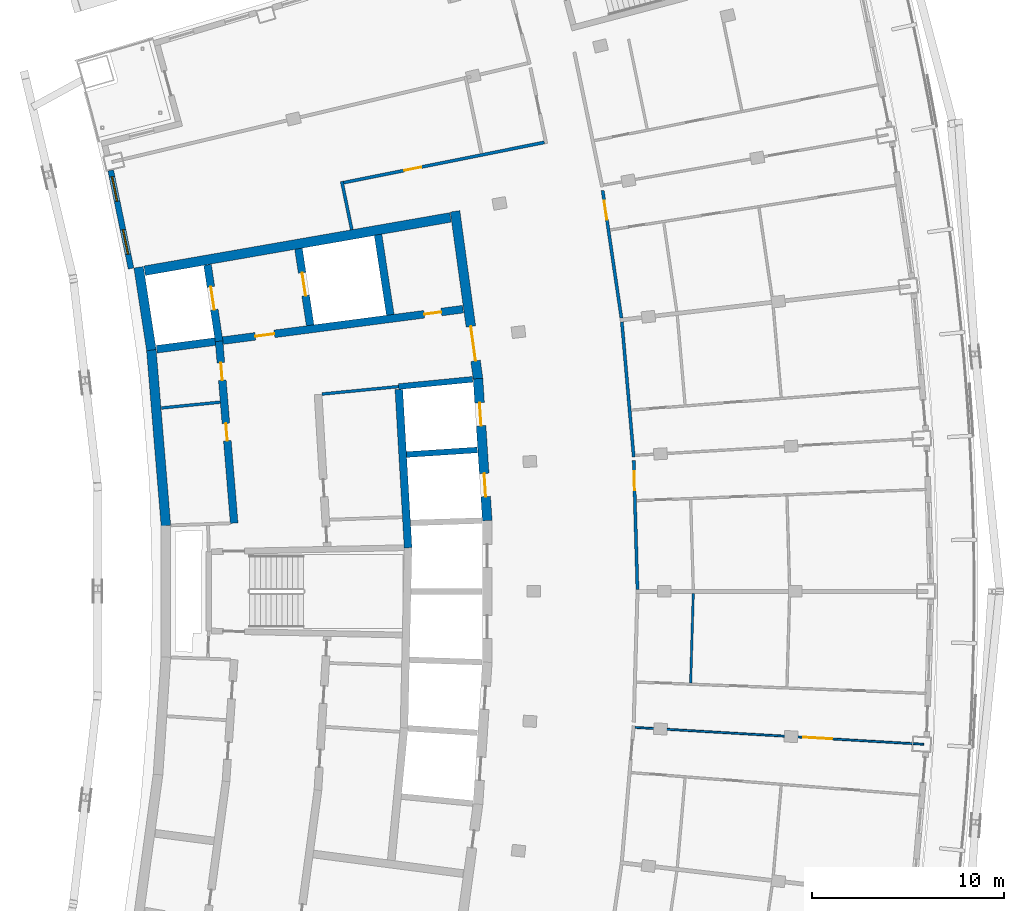
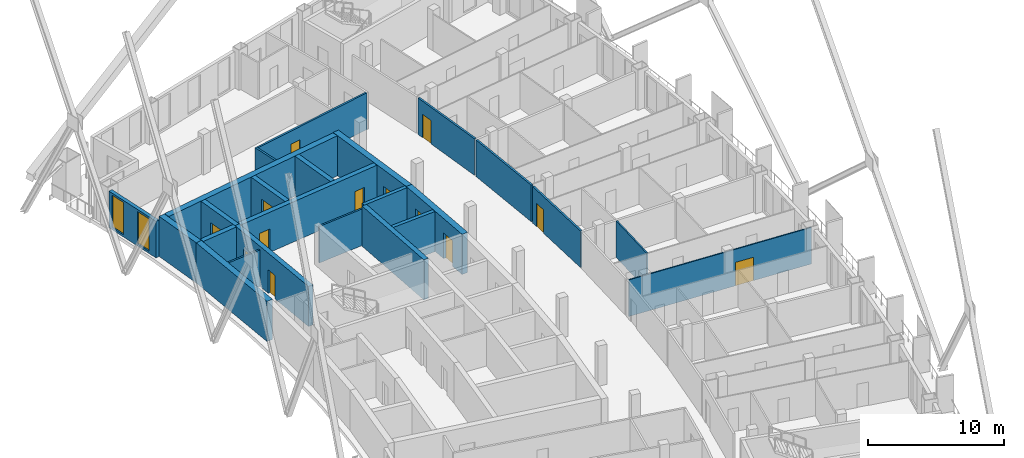
# One storey, part 11 of 21: 24 walls, 13 doors, 2 windows, 15 openings.
"""IFC4 building model written with IfcOpenShell, lengths in metres."""

from ifc_helpers import new_model, si_unit, direction, frame, frame_2d, origin, place, context, subcontext, project, spatial, rectangle, extrude, material, layer, layer_set, type_object, element, fill, save


model = new_model("IFC4")

# Units and contexts
model_context = context("Model", 3, precision=1e-05, world=origin(), true_north=direction((0.0, 1.0)))
body_context = subcontext(model_context, "Body", "Model", "MODEL_VIEW")
ifc_project = project(units=[si_unit("LENGTHUNIT", "METRE"), si_unit("AREAUNIT", "SQUARE_METRE"), si_unit("VOLUMEUNIT", "CUBIC_METRE"), si_unit("PLANEANGLEUNIT", "RADIAN"), si_unit("MASSUNIT", "GRAM", prefix="KILO")], contexts=[model_context])

# Site, building, storey
site_placement = place(None, origin())
site = spatial("IfcSite", under=ifc_project, at=site_placement, CompositionType="ELEMENT")
building_placement = place(site_placement, origin())
building = spatial("IfcBuilding", under=site, at=building_placement, Name="Alderwake Tower", CompositionType="ELEMENT")
storey_placement = place(building_placement, frame((0.0, 0.0, 267.199951171875)))
storey = spatial("IfcBuildingStorey", under=building, at=storey_placement, Name="L66", CompositionType="ELEMENT", Elevation=267.199951171875)

# Walls
ifc_material_1 = material(Name="Gypsum shaft wall system, rated")
ifc_layer_1 = layer(ifc_material_1, 0.14990234375)
ifc_layer_set_1 = layer_set([ifc_layer_1], Name="Core room partition 150")
wall_type_1 = type_object("IfcWallType", Name="Core room partition 150", PredefinedType="PARTITIONING", material=ifc_layer_set_1)
wall_1_placement = place(storey_placement, frame((24.799560546875, 71.2548828125, 0.0), z_axis=(0.0, 0.0, 1.0), x_axis=(0.995250000627, 0.097352125046, 0.0)))
element("IfcWall", 1, at=wall_1_placement, inside=storey, type_object=wall_type_1, Name="CW/L66/PR+102_+86", PredefinedType="PARTITIONING", context=body_context, shape_type="SweptSolid", body=[
    extrude(rectangle(XDim=4.0, YDim=0.14990234375, at=frame_2d((2.0, 0.0))), origin(), (0.0, 0.0, 1.0), 3.280029296875),
])
wall_2_placement = place(storey_placement, frame((16.4638671875, 70.5322265625, 0.0), z_axis=(0.0, 0.0, 1.0), x_axis=(0.995153954228, 0.098329077004, 0.0)))
element("IfcWall", 2, at=wall_2_placement, inside=storey, type_object=wall_type_1, Name="CW/L66/PR+103_+0", PredefinedType="PARTITIONING", context=body_context, shape_type="SweptSolid", body=[
    extrude(rectangle(XDim=3.06640625, YDim=0.14990234375, at=frame_2d((1.533203125, 0.0))), origin(), (0.0, 0.0, 1.0), 3.280029296875),
])
ifc_material_2 = material(Name="Concrete C70/85", Category="concrete")
ifc_layer_2 = layer(ifc_material_2, 0.5)
ifc_layer_set_2 = layer_set([ifc_layer_2], Name="Core wall outer 500 C70-85")
wall_type_2 = type_object("IfcWallType", Name="Core wall outer 500 C70-85", PredefinedType="SHEAR", material=ifc_layer_set_2)
wall_3_placement = place(storey_placement, frame((16.690185546875, 64.41162109375, 0.0), z_axis=(0.0, 0.0, 1.0), x_axis=(-0.082611702064, 0.996581811334, 0.0)))
element("IfcWall", 3, at=wall_3_placement, inside=storey, type_object=wall_type_2, Name="Core wall CW.026", PredefinedType="SHEAR", context=body_context, shape_type="SweptSolid", body=[
    extrude(rectangle(XDim=9.176025390625, YDim=0.5, at=frame_2d((4.587890625, 0.0))), origin(), (0.0, 0.0, 1.0), 3.60009765625),
])
wall_4_placement = place(storey_placement, frame((15.934326171875, 73.5380859375, 0.0), z_axis=(0.0, 0.0, 1.0), x_axis=(-0.151947718368, 0.988388532351, 0.0)))
element("IfcWall", 4, at=wall_4_placement, inside=storey, type_object=wall_type_2, Name="Core wall CW.025", PredefinedType="SHEAR", context=body_context, shape_type="SweptSolid", body=[
    extrude(rectangle(XDim=4.357421875, YDim=0.5, at=frame_2d((2.1787109375, 0.0))), origin(), (0.0, 0.0, 1.0), 3.60009765625),
])

# Wall, openings, doors
wall_5_placement = place(storey_placement, frame((33.390625, 64.679443359375, 0.0), z_axis=(0.0, 0.0, 1.0), x_axis=(-0.064980500916, 0.997886533881, 0.0)))
wall_5 = element("IfcWall", 5, at=wall_5_placement, inside=storey, type_object=wall_type_2, Name="Core wall CW.020", PredefinedType="SHEAR", context=body_context, shape_type="SweptSolid", body=[
    extrude(rectangle(XDim=7.39404296875, YDim=0.5, at=frame_2d((3.697021484375, 0.0))), origin(), (0.0, 0.0, 1.0), 3.60009765625),
])
opening_1_placement = place(wall_5_placement, frame((1.25244140625, 0.0, 0.0)))
opening_1 = element("IfcOpeningElement", 6, at=opening_1_placement, cuts=wall_5, Name="Opening LD-HP5", PredefinedType="OPENING", context=body_context, shape_type="SweptSolid", body=[
    extrude(rectangle(XDim=1.199951171875, YDim=2.300048828125, at=frame_2d((0.60009765625, 1.14990234375))), frame((0.0, 0.260009765625, 0.0), z_axis=(0.0, -1.0, 0.0), x_axis=(1.0, 0.0, 0.0)), (0.0, 0.0, 1.0), 0.52001953125),
])
opening_2_placement = place(wall_5_placement, frame((4.94091796875, 0.0, 0.0)))
opening_2 = element("IfcOpeningElement", 7, at=opening_2_placement, cuts=wall_5, Name="Opening LD-HP6", PredefinedType="OPENING", context=body_context, shape_type="SweptSolid", body=[
    extrude(rectangle(XDim=1.199951171875, YDim=2.300048828125, at=frame_2d((0.60009765625, 1.14990234375))), frame((0.0, 0.260009765625, 0.0), z_axis=(0.0, -1.0, 0.0), x_axis=(1.0, 0.0, 0.0)), (0.0, 0.0, 1.0), 0.52001953125),
])
ifc_material_3 = material(Name="Stainless steel sliding leaf", Category="steel")
door_type_1 = type_object("IfcDoorType", Name="Lift landing door 1200", OperationType="SLIDING_TO_LEFT", PredefinedType="DOOR", material=ifc_material_3)
door_1_placement = place(opening_1_placement, origin())
door_1 = element("IfcDoor", 8, at=door_1_placement, inside=storey, type_object=door_type_1, Name="Lift landing door HP5", OperationType="SLIDING_TO_LEFT", OverallHeight=2.300048828125, OverallWidth=1.199951171875, PredefinedType="DOOR", context=body_context, shape_type="SweptSolid", body=[
    extrude(rectangle(XDim=1.199951171875, YDim=2.300048828125, at=frame_2d((0.60009765625, 1.14990234375))), frame((0.0, 0.02490234375, 0.0), z_axis=(0.0, -1.0, 0.0), x_axis=(1.0, 0.0, 0.0)), (0.0, 0.0, 1.0), 0.050048828125),
])
fill(opening_1, door_1)
door_2_placement = place(opening_2_placement, origin())
door_2 = element("IfcDoor", 9, at=door_2_placement, inside=storey, type_object=door_type_1, Name="Lift landing door HP6", OperationType="SLIDING_TO_LEFT", OverallHeight=2.300048828125, OverallWidth=1.199951171875, PredefinedType="DOOR", context=body_context, shape_type="SweptSolid", body=[
    extrude(rectangle(XDim=1.199951171875, YDim=2.300048828125, at=frame_2d((0.60009765625, 1.14990234375))), frame((0.0, 0.02490234375, 0.0), z_axis=(0.0, -1.0, 0.0), x_axis=(1.0, 0.0, 0.0)), (0.0, 0.0, 1.0), 0.050048828125),
])
fill(opening_2, door_2)

# Wall, opening, door
wall_6_placement = place(storey_placement, frame((31.71728515625, 80.752685546875, 0.0), z_axis=(0.0, 0.0, 1.0), x_axis=(0.1358539401, -0.990728876615, 0.0)))
wall_6 = element("IfcWall", 10, at=wall_6_placement, inside=storey, type_object=wall_type_2, Name="Core wall CW.019", PredefinedType="SHEAR", context=body_context, shape_type="SweptSolid", body=[
    extrude(rectangle(XDim=8.794921875, YDim=0.5, at=frame_2d((4.3974609375, 0.0))), origin(), (0.0, 0.0, 1.0), 3.60009765625),
])
opening_3_placement = place(wall_6_placement, frame((6.0419921875, 0.0, 0.0)))
opening_3 = element("IfcOpeningElement", 11, at=opening_3_placement, cuts=wall_6, Name="Opening C001", PredefinedType="OPENING", context=body_context, shape_type="SweptSolid", body=[
    extrude(rectangle(XDim=1.800048828125, YDim=2.10009765625, at=frame_2d((0.89990234375, 1.050048828125))), frame((0.0, 0.260009765625, 0.0), z_axis=(0.0, -1.0, 0.0), x_axis=(1.0, 0.0, 0.0)), (0.0, 0.0, 1.0), 0.52001953125),
])
ifc_material_4 = material(Name="Steel-framed fire door leaves", Category="steel")
door_type_2 = type_object("IfcDoorType", Name="Core double door 1800 fire-rated", OperationType="DOUBLE_DOOR_SINGLE_SWING", PredefinedType="DOOR", material=ifc_material_4)
door_3_placement = place(opening_3_placement, origin())
door_3 = element("IfcDoor", 12, at=door_3_placement, inside=storey, type_object=door_type_2, Name="Lobby double door", OperationType="DOUBLE_DOOR_SINGLE_SWING", OverallHeight=2.10009765625, OverallWidth=1.800048828125, PredefinedType="DOOR", context=body_context, shape_type="SweptSolid", body=[
    extrude(rectangle(XDim=1.800048828125, YDim=2.10009765625, at=frame_2d((0.89990234375, 1.050048828125))), frame((0.0, 0.02490234375, 0.0), z_axis=(0.0, -1.0, 0.0), x_axis=(1.0, 0.0, 0.0)), (0.0, 0.0, 1.0), 0.050048828125),
])
fill(opening_3, door_3)

# Walls
wall_7_placement = place(storey_placement, frame((15.583251953125, 77.664306640625, 0.0), z_axis=(0.0, 0.0, 1.0), x_axis=(0.985139146221, 0.171758151429, 0.0)))
element("IfcWall", 13, at=wall_7_placement, inside=storey, type_object=wall_type_2, Name="Core wall CW.055", PredefinedType="SHEAR", context=body_context, shape_type="SweptSolid", body=[
    extrude(rectangle(XDim=16.134521484375, YDim=0.5, at=frame_2d((8.0673828125, 0.0))), origin(), (0.0, 0.0, 1.0), 3.60009765625),
])
ifc_material_5 = material(Name="Concrete C70/85", Category="concrete")
ifc_layer_3 = layer(ifc_material_5, 0.300048828125)
ifc_layer_set_3 = layer_set([ifc_layer_3], Name="Core wall shaft 300 C70-85")
wall_type_3 = type_object("IfcWallType", Name="Core wall shaft 300 C70-85", PredefinedType="SHEAR", material=ifc_layer_set_3)
wall_8_placement = place(storey_placement, frame((29.193603515625, 68.110595703125, 0.0), z_axis=(0.0, 0.0, 1.0), x_axis=(0.997885994006, 0.064988791085, 0.0)))
element("IfcWall", 14, at=wall_8_placement, inside=storey, type_object=wall_type_3, Name="Core wall CW.061", PredefinedType="SHEAR", context=body_context, shape_type="SweptSolid", body=[
    extrude(rectangle(XDim=3.685302734375, YDim=0.300048828125, at=frame_2d((1.8427734375, 0.0))), origin(), (0.0, 0.0, 1.0), 3.60009765625),
])
wall_9_placement = place(storey_placement, frame((28.780517578125, 71.644287109375, 0.0), z_axis=(0.0, 0.0, 1.0), x_axis=(0.995244248631, 0.097410910928, 0.0)))
element("IfcWall", 15, at=wall_9_placement, inside=storey, type_object=wall_type_3, Name="Core wall CW.049", PredefinedType="SHEAR", context=body_context, shape_type="SweptSolid", body=[
    extrude(rectangle(XDim=3.86962890625, YDim=0.300048828125, at=frame_2d((1.934814453125, 0.0))), origin(), (0.0, 0.0, 1.0), 3.60009765625),
])

# Wall, openings, doors
ifc_material_6 = material(Name="Concrete C70/85", Category="concrete")
ifc_layer_4 = layer(ifc_material_6, 0.39990234375)
ifc_layer_set_4 = layer_set([ifc_layer_4], Name="Core wall spine 400 C70-85")
wall_type_4 = type_object("IfcWallType", Name="Core wall spine 400 C70-85", PredefinedType="SHEAR", material=ifc_layer_set_4)
wall_10_placement = place(storey_placement, frame((19.452392578125, 74.014892578125, 0.0), z_axis=(0.0, 0.0, 1.0), x_axis=(0.082628585297, -0.996580411654, 0.0)))
wall_10 = element("IfcWall", 16, at=wall_10_placement, inside=storey, type_object=wall_type_4, Name="Core wall CW.031", PredefinedType="SHEAR", context=body_context, shape_type="SweptSolid", body=[
    extrude(rectangle(XDim=9.499267578125, YDim=0.39990234375, at=frame_2d((4.74951171875, 0.0))), origin(), (0.0, 0.0, 1.0), 3.60009765625),
])
opening_4_placement = place(wall_10_placement, frame((4.30322265625, 0.0, 0.0)))
opening_4 = element("IfcOpeningElement", 17, at=opening_4_placement, cuts=wall_10, Name="Opening C052", PredefinedType="OPENING", context=body_context, shape_type="SweptSolid", body=[
    extrude(rectangle(XDim=0.89990234375, YDim=2.10009765625, at=frame_2d((0.449951171875, 1.050048828125))), frame((0.0, 0.2099609375, 0.0), z_axis=(0.0, -1.0, 0.0), x_axis=(1.0, 0.0, 0.0)), (0.0, 0.0, 1.0), 0.419921875),
])
opening_5_placement = place(wall_10_placement, frame((1.138671875, 0.0, 0.0)))
opening_5 = element("IfcOpeningElement", 18, at=opening_5_placement, cuts=wall_10, Name="Opening C056", PredefinedType="OPENING", context=body_context, shape_type="SweptSolid", body=[
    extrude(rectangle(XDim=0.89990234375, YDim=2.10009765625, at=frame_2d((0.449951171875, 1.050048828125))), frame((0.0, 0.2099609375, 0.0), z_axis=(0.0, -1.0, 0.0), x_axis=(1.0, 0.0, 0.0)), (0.0, 0.0, 1.0), 0.419921875),
])
ifc_material_7 = material(Name="Painted steel leaf", Category="steel")
door_type_3 = type_object("IfcDoorType", Name="Core room door 900", OperationType="SINGLE_SWING_LEFT", PredefinedType="DOOR", material=ifc_material_7)
door_4_placement = place(opening_4_placement, origin())
door_4 = element("IfcDoor", 19, at=door_4_placement, inside=storey, type_object=door_type_3, Name="Room door", OperationType="SINGLE_SWING_LEFT", OverallHeight=2.10009765625, OverallWidth=0.89990234375, PredefinedType="DOOR", context=body_context, shape_type="SweptSolid", body=[
    extrude(rectangle(XDim=0.89990234375, YDim=2.10009765625, at=frame_2d((0.449951171875, 1.050048828125))), frame((0.0, 0.02490234375, 0.0), z_axis=(0.0, -1.0, 0.0), x_axis=(1.0, 0.0, 0.0)), (0.0, 0.0, 1.0), 0.050048828125),
])
fill(opening_4, door_4)
door_5_placement = place(opening_5_placement, origin())
door_5 = element("IfcDoor", 20, at=door_5_placement, inside=storey, type_object=door_type_3, Name="Room door", OperationType="SINGLE_SWING_RIGHT", OverallHeight=2.10009765625, OverallWidth=0.89990234375, PredefinedType="DOOR", context=body_context, shape_type="SweptSolid", body=[
    extrude(rectangle(XDim=0.89990234375, YDim=2.10009765625, at=frame_2d((0.449951171875, 1.050048828125))), frame((0.0, 0.02490234375, 0.0), z_axis=(0.0, -1.0, 0.0), x_axis=(1.0, 0.0, 0.0)), (0.0, 0.0, 1.0), 0.050048828125),
])
fill(opening_5, door_5)

# Wall, opening, door
wall_11_placement = place(storey_placement, frame((19.4541015625, 74.00048828125, 0.0), z_axis=(0.0, 0.0, 1.0), x_axis=(-0.149461330246, 0.988767571657, 0.0)))
wall_11 = element("IfcWall", 21, at=wall_11_placement, inside=storey, type_object=wall_type_4, Name="Core wall CW.030", PredefinedType="SHEAR", context=body_context, shape_type="SweptSolid", body=[
    extrude(rectangle(XDim=4.01513671875, YDim=0.39990234375, at=frame_2d((2.007568359375, 0.0))), origin(), (0.0, 0.0, 1.0), 3.60009765625),
])
opening_6_placement = place(wall_11_placement, frame((1.6611328125, 0.0, 0.0)))
opening_6 = element("IfcOpeningElement", 22, at=opening_6_placement, cuts=wall_11, Name="Opening LD-FF1", PredefinedType="OPENING", context=body_context, shape_type="SweptSolid", body=[
    extrude(rectangle(XDim=1.199951171875, YDim=2.300048828125, at=frame_2d((0.60009765625, 1.14990234375))), frame((0.0, 0.2099609375, 0.0), z_axis=(0.0, -1.0, 0.0), x_axis=(1.0, 0.0, 0.0)), (0.0, 0.0, 1.0), 0.419921875),
])
door_6_placement = place(opening_6_placement, origin())
door_6 = element("IfcDoor", 23, at=door_6_placement, inside=storey, type_object=door_type_1, Name="Lift landing door FF1", OperationType="SLIDING_TO_LEFT", OverallHeight=2.300048828125, OverallWidth=1.199951171875, PredefinedType="DOOR", context=body_context, shape_type="SweptSolid", body=[
    extrude(rectangle(XDim=1.199951171875, YDim=2.300048828125, at=frame_2d((0.60009765625, 1.14990234375))), frame((0.0, 0.02490234375, 0.0), z_axis=(0.0, -1.0, 0.0), x_axis=(1.0, 0.0, 0.0)), (0.0, 0.0, 1.0), 0.050048828125),
])
fill(opening_6, door_6)

wall_12_placement = place(storey_placement, frame((24.186279296875, 74.82861328125, 0.0), z_axis=(0.0, 0.0, 1.0), x_axis=(-0.150547717109, 0.988602743711, 0.0)))
wall_12 = element("IfcWall", 24, at=wall_12_placement, inside=storey, type_object=wall_type_4, Name="Core wall CW.044", PredefinedType="SHEAR", context=body_context, shape_type="SweptSolid", body=[
    extrude(rectangle(XDim=4.0234375, YDim=0.39990234375, at=frame_2d((2.01171875, 0.0))), origin(), (0.0, 0.0, 1.0), 3.60009765625),
])
opening_7_placement = place(wall_12_placement, frame((1.561767578125, 0.0, 0.0)))
opening_7 = element("IfcOpeningElement", 25, at=opening_7_placement, cuts=wall_12, Name="Opening LD-FF2", PredefinedType="OPENING", context=body_context, shape_type="SweptSolid", body=[
    extrude(rectangle(XDim=1.199951171875, YDim=2.300048828125, at=frame_2d((0.60009765625, 1.14990234375))), frame((0.0, 0.2099609375, 0.0), z_axis=(0.0, -1.0, 0.0), x_axis=(1.0, 0.0, 0.0)), (0.0, 0.0, 1.0), 0.419921875),
])
door_7_placement = place(opening_7_placement, origin())
door_7 = element("IfcDoor", 26, at=door_7_placement, inside=storey, type_object=door_type_1, Name="Lift landing door FF2", OperationType="SLIDING_TO_LEFT", OverallHeight=2.300048828125, OverallWidth=1.199951171875, PredefinedType="DOOR", context=body_context, shape_type="SweptSolid", body=[
    extrude(rectangle(XDim=1.199951171875, YDim=2.300048828125, at=frame_2d((0.60009765625, 1.14990234375))), frame((0.0, 0.02490234375, 0.0), z_axis=(0.0, -1.0, 0.0), x_axis=(1.0, 0.0, 0.0)), (0.0, 0.0, 1.0), 0.050048828125),
])
fill(opening_7, door_7)

# Walls
wall_13_placement = place(storey_placement, frame((29.27685546875, 63.2646484375, 0.0), z_axis=(0.0, 0.0, 1.0), x_axis=(-0.0584546922, 0.998290062537, 0.0)))
element("IfcWall", 27, at=wall_13_placement, inside=storey, type_object=wall_type_4, Name="Core wall CW.002", PredefinedType="SHEAR", context=body_context, shape_type="SweptSolid", body=[
    extrude(rectangle(XDim=8.24462890625, YDim=0.39990234375, at=frame_2d((4.122314453125, 0.0))), origin(), (0.0, 0.0, 1.0), 3.60009765625),
])
wall_14_placement = place(storey_placement, frame((28.350830078125, 75.373291015625, 0.0), z_axis=(0.0, 0.0, 1.0), x_axis=(-0.150576223774, 0.988598402201, 0.0)))
element("IfcWall", 28, at=wall_14_placement, inside=storey, type_object=wall_type_4, Name="Core wall CW.001", PredefinedType="SHEAR", context=body_context, shape_type="SweptSolid", body=[
    extrude(rectangle(XDim=4.21240234375, YDim=0.39990234375, at=frame_2d((2.106201171875, 0.0))), origin(), (0.0, 0.0, 1.0), 3.60009765625),
])
wall_15_placement = place(storey_placement, frame((16.210693359375, 73.583740234375, 0.0), z_axis=(0.0, 0.0, 1.0), x_axis=(0.991560893257, 0.129641794819, 0.0)))
element("IfcWall", 29, at=wall_15_placement, inside=storey, type_object=wall_type_4, Name="Core wall CW.051", PredefinedType="SHEAR", context=body_context, shape_type="SweptSolid", body=[
    extrude(rectangle(XDim=3.069580078125, YDim=0.39990234375, at=frame_2d((1.53466796875, 0.0))), origin(), (0.0, 0.0, 1.0), 3.60009765625),
])

# Wall, openings, doors
wall_16_placement = place(storey_placement, frame((32.132080078125, 75.666015625, 0.0), z_axis=(0.0, 0.0, 1.0), x_axis=(-0.991555139901, -0.129685791576, 0.0)))
wall_16 = element("IfcWall", 30, at=wall_16_placement, inside=storey, type_object=wall_type_4, Name="Core wall CW.052", PredefinedType="SHEAR", context=body_context, shape_type="SweptSolid", body=[
    extrude(rectangle(XDim=12.586669921875, YDim=0.39990234375, at=frame_2d((6.29345703125, 0.0))), origin(), (0.0, 0.0, 1.0), 3.60009765625),
])
opening_8_placement = place(wall_16_placement, frame((9.88720703125, 0.0, 0.0)))
opening_8 = element("IfcOpeningElement", 31, at=opening_8_placement, cuts=wall_16, Name="Opening C002", PredefinedType="OPENING", context=body_context, shape_type="SweptSolid", body=[
    extrude(rectangle(XDim=1.0, YDim=2.10009765625, at=frame_2d((0.5, 1.050048828125))), frame((0.0, 0.2099609375, 0.0), z_axis=(0.0, -1.0, 0.0), x_axis=(1.0, 0.0, 0.0)), (0.0, 0.0, 1.0), 0.419921875),
])
opening_9_placement = place(wall_16_placement, frame((1.13720703125, 0.0, 0.0)))
opening_9 = element("IfcOpeningElement", 32, at=opening_9_placement, cuts=wall_16, Name="Opening C020", PredefinedType="OPENING", context=body_context, shape_type="SweptSolid", body=[
    extrude(rectangle(XDim=0.89990234375, YDim=2.10009765625, at=frame_2d((0.449951171875, 1.050048828125))), frame((0.0, 0.2099609375, 0.0), z_axis=(0.0, -1.0, 0.0), x_axis=(1.0, 0.0, 0.0)), (0.0, 0.0, 1.0), 0.419921875),
])
door_8_placement = place(opening_9_placement, origin())
door_8 = element("IfcDoor", 33, at=door_8_placement, inside=storey, type_object=door_type_3, Name="Room door", OperationType="SINGLE_SWING_LEFT", OverallHeight=2.10009765625, OverallWidth=0.89990234375, PredefinedType="DOOR", context=body_context, shape_type="SweptSolid", body=[
    extrude(rectangle(XDim=0.89990234375, YDim=2.10009765625, at=frame_2d((0.449951171875, 1.050048828125))), frame((0.0, 0.02490234375, 0.0), z_axis=(0.0, -1.0, 0.0), x_axis=(1.0, 0.0, 0.0)), (0.0, 0.0, 1.0), 0.050048828125),
])
fill(opening_9, door_8)
ifc_material_8 = material(Name="Steel-framed fire door leaf", Category="steel")
door_type_4 = type_object("IfcDoorType", Name="Firefighting lobby door 1000 fire-rated", OperationType="SINGLE_SWING_LEFT", PredefinedType="DOOR", material=ifc_material_8)
door_9_placement = place(opening_8_placement, origin())
door_9 = element("IfcDoor", 34, at=door_9_placement, inside=storey, type_object=door_type_4, Name="Firefighting lobby door", OperationType="SINGLE_SWING_RIGHT", OverallHeight=2.10009765625, OverallWidth=1.0, PredefinedType="DOOR", context=body_context, shape_type="SweptSolid", body=[
    extrude(rectangle(XDim=1.0, YDim=2.10009765625, at=frame_2d((0.5, 1.050048828125))), frame((0.0, 0.02490234375, 0.0), z_axis=(0.0, -1.0, 0.0), x_axis=(1.0, 0.0, 0.0)), (0.0, 0.0, 1.0), 0.050048828125),
])
fill(opening_8, door_9)

# Wall
ifc_material_9 = material(Name="Gypsum board on metal studs, rated")
ifc_layer_5 = layer(ifc_material_9, 0.159912109375)
ifc_layer_set_5 = layer_set([ifc_layer_5], Name="Corridor wall 160")
wall_type_5 = type_object("IfcWallType", Name="Corridor wall 160", PredefinedType="PARTITIONING", material=ifc_layer_set_5)
wall_17_placement = place(storey_placement, frame((25.831787109375, 82.305419921875, 0.0), z_axis=(0.0, 0.0, 1.0), x_axis=(0.202450797205, -0.979292435747, 0.0)))
element("IfcWall", 35, at=wall_17_placement, inside=storey, type_object=wall_type_5, Name="WL/L66/W09", PredefinedType="PARTITIONING", context=body_context, shape_type="SweptSolid", body=[
    extrude(rectangle(XDim=2.555419921875, YDim=0.159912109375, at=frame_2d((1.27783203125, 0.0))), origin(), (0.0, 0.0, 1.0), 3.280029296875),
])

# Wall, opening, door
wall_18_placement = place(storey_placement, frame((25.926513671875, 82.24267578125, 0.0), z_axis=(0.0, 0.0, 1.0), x_axis=(0.98046310274, 0.196703086316, 0.0)))
wall_18 = element("IfcWall", 36, at=wall_18_placement, inside=storey, type_object=wall_type_5, Name="WL/L66/W17", PredefinedType="PARTITIONING", context=body_context, shape_type="SweptSolid", body=[
    extrude(rectangle(XDim=10.637939453125, YDim=0.159912109375, at=frame_2d((5.31884765625, 0.0))), origin(), (0.0, 0.0, 1.0), 3.280029296875),
])
opening_10_placement = place(wall_18_placement, frame((3.208984375, 0.0, 0.0)))
opening_10 = element("IfcOpeningElement", 37, at=opening_10_placement, cuts=wall_18, Name="Opening R19-SBN1", PredefinedType="OPENING", context=body_context, shape_type="SweptSolid", body=[
    extrude(rectangle(XDim=0.89990234375, YDim=2.10009765625, at=frame_2d((0.449951171875, 1.050048828125))), frame((0.0, 0.08984375, 0.0), z_axis=(0.0, -1.0, 0.0), x_axis=(1.0, 0.0, 0.0)), (0.0, 0.0, 1.0), 0.179931640625),
])
ifc_material_10 = material(Name="Painted timber leaf", Category="wood")
door_type_5 = type_object("IfcDoorType", Name="Room door 900", OperationType="SINGLE_SWING_LEFT", PredefinedType="DOOR", material=ifc_material_10)
door_10_placement = place(opening_10_placement, origin())
door_10 = element("IfcDoor", 38, at=door_10_placement, inside=storey, type_object=door_type_5, Name="DR/L66/SBN1", OperationType="SINGLE_SWING_LEFT", OverallHeight=2.10009765625, OverallWidth=0.89990234375, PredefinedType="DOOR", context=body_context, shape_type="SweptSolid", body=[
    extrude(rectangle(XDim=0.89990234375, YDim=2.10009765625, at=frame_2d((0.449951171875, 1.050048828125))), frame((0.0, 0.02490234375, 0.0), z_axis=(0.0, -1.0, 0.0), x_axis=(1.0, 0.0, 0.0)), (0.0, 0.0, 1.0), 0.050048828125),
])
fill(opening_10, door_10)

wall_19_placement = place(storey_placement, frame((39.38671875, 81.837158203125, 0.0), z_axis=(0.0, 0.0, 1.0), x_axis=(0.145576845789, -0.989346947218, 0.0)))
wall_19 = element("IfcWall", 39, at=wall_19_placement, inside=storey, type_object=wall_type_5, Name="WL/L66/W21", PredefinedType="PARTITIONING", context=body_context, shape_type="SweptSolid", body=[
    extrude(rectangle(XDim=6.701416015625, YDim=0.159912109375, at=frame_2d((3.3505859375, 0.0))), origin(), (0.0, 0.0, 1.0), 3.280029296875),
])
opening_11_placement = place(wall_19_placement, frame((0.54443359375, 0.0, 0.0)))
opening_11 = element("IfcOpeningElement", 40, at=opening_11_placement, cuts=wall_19, Name="Opening R19-U06.2", PredefinedType="OPENING", context=body_context, shape_type="SweptSolid", body=[
    extrude(rectangle(XDim=1.0, YDim=2.10009765625, at=frame_2d((0.5, 1.050048828125))), frame((0.0, 0.08984375, 0.0), z_axis=(0.0, -1.0, 0.0), x_axis=(1.0, 0.0, 0.0)), (0.0, 0.0, 1.0), 0.179931640625),
])
ifc_material_11 = material(Name="Solid timber leaf in steel frame", Category="steel")
door_type_6 = type_object("IfcDoorType", Name="Flat entrance door 1000 fire-rated", OperationType="SINGLE_SWING_LEFT", PredefinedType="DOOR", material=ifc_material_11)
door_11_placement = place(opening_11_placement, origin())
door_11 = element("IfcDoor", 41, at=door_11_placement, inside=storey, type_object=door_type_6, Name="DR/L66/U06.2", OperationType="SINGLE_SWING_LEFT", OverallHeight=2.10009765625, OverallWidth=1.0, PredefinedType="DOOR", context=body_context, shape_type="SweptSolid", body=[
    extrude(rectangle(XDim=1.0, YDim=2.10009765625, at=frame_2d((0.5, 1.050048828125))), frame((0.0, 0.02490234375, 0.0), z_axis=(0.0, -1.0, 0.0), x_axis=(1.0, 0.0, 0.0)), (0.0, 0.0, 1.0), 0.050048828125),
])
fill(opening_11, door_11)

# Wall
wall_20_placement = place(storey_placement, frame((41.001953125, 67.9873046875, 0.0), z_axis=(0.0, 0.0, 1.0), x_axis=(-0.087430787456, 0.996170596537, 0.0)))
element("IfcWall", 42, at=wall_20_placement, inside=storey, type_object=wall_type_5, Name="WL/L66/W24", PredefinedType="PARTITIONING", context=body_context, shape_type="SweptSolid", body=[
    extrude(rectangle(XDim=7.048095703125, YDim=0.159912109375, at=frame_2d((3.52392578125, 0.0))), origin(), (0.0, 0.0, 1.0), 3.280029296875),
])

# Wall, opening, door
wall_21_placement = place(storey_placement, frame((41.002685546875, 67.80029296875, 0.0), z_axis=(0.0, 0.0, 1.0), x_axis=(0.0288425569, -0.999583966914, 0.0)))
wall_21 = element("IfcWall", 43, at=wall_21_placement, inside=storey, type_object=wall_type_5, Name="WL/L66/W25", PredefinedType="PARTITIONING", context=body_context, shape_type="SweptSolid", body=[
    extrude(rectangle(XDim=6.703857421875, YDim=0.159912109375, at=frame_2d((3.35205078125, 0.0))), origin(), (0.0, 0.0, 1.0), 3.280029296875),
])
opening_12_placement = place(wall_21_placement, frame((0.54541015625, 0.0, 0.0)))
opening_12 = element("IfcOpeningElement", 44, at=opening_12_placement, cuts=wall_21, Name="Opening R19-U05.2", PredefinedType="OPENING", context=body_context, shape_type="SweptSolid", body=[
    extrude(rectangle(XDim=1.0, YDim=2.10009765625, at=frame_2d((0.5, 1.050048828125))), frame((0.0, 0.08984375, 0.0), z_axis=(0.0, -1.0, 0.0), x_axis=(1.0, 0.0, 0.0)), (0.0, 0.0, 1.0), 0.179931640625),
])
door_12_placement = place(opening_12_placement, origin())
door_12 = element("IfcDoor", 45, at=door_12_placement, inside=storey, type_object=door_type_6, Name="DR/L66/U05.2", OperationType="SINGLE_SWING_LEFT", OverallHeight=2.10009765625, OverallWidth=1.0, PredefinedType="DOOR", context=body_context, shape_type="SweptSolid", body=[
    extrude(rectangle(XDim=1.0, YDim=2.10009765625, at=frame_2d((0.5, 1.050048828125))), frame((0.0, 0.02490234375, 0.0), z_axis=(0.0, -1.0, 0.0), x_axis=(1.0, 0.0, 0.0)), (0.0, 0.0, 1.0), 0.050048828125),
])
fill(opening_12, door_12)

# Wall, openings, windows
ifc_material_12 = material(Name="Precast concrete C50/60 spandrel panel", Category="concrete")
ifc_layer_6 = layer(ifc_material_12, 0.300048828125)
ifc_layer_set_6 = layer_set([ifc_layer_6], Name="External wall EW1 Precast concrete C50/60 spandrel")
wall_type_6 = type_object("IfcWallType", Name="External wall EW1 Precast concrete C50/60 spandrel", PredefinedType="SOLIDWALL", material=ifc_layer_set_6)
wall_22_placement = place(storey_placement, frame((13.821533203125, 82.879638671875, 0.0), z_axis=(0.0, 0.0, 1.0), x_axis=(0.202760516883, -0.979228355795, 0.0)))
wall_22 = element("IfcWall", 46, at=wall_22_placement, inside=storey, type_object=wall_type_6, Name="External wall 31", PredefinedType="SOLIDWALL", context=body_context, shape_type="SweptSolid", body=[
    extrude(rectangle(XDim=5.211181640625, YDim=0.300048828125, at=frame_2d((2.60546875, 0.0))), origin(), (0.0, 0.0, 1.0), 3.280029296875),
])
opening_13_placement = place(wall_22_placement, frame((0.342041015625, 0.0, 0.199951171875)))
opening_13 = element("IfcOpeningElement", 47, at=opening_13_placement, cuts=wall_22, Name="Opening W1", PredefinedType="OPENING", context=body_context, shape_type="SweptSolid", body=[
    extrude(rectangle(XDim=1.300048828125, YDim=2.89990234375, at=frame_2d((0.64990234375, 1.449951171875))), frame((0.0, 0.159912109375, 0.0), z_axis=(0.0, -1.0, 0.0), x_axis=(1.0, 0.0, 0.0)), (0.0, 0.0, 1.0), 0.320068359375),
])
opening_14_placement = place(wall_22_placement, frame((3.15478515625, 0.0, 0.199951171875)))
opening_14 = element("IfcOpeningElement", 48, at=opening_14_placement, cuts=wall_22, Name="Opening W1", PredefinedType="OPENING", context=body_context, shape_type="SweptSolid", body=[
    extrude(rectangle(XDim=1.300048828125, YDim=2.89990234375, at=frame_2d((0.64990234375, 1.449951171875))), frame((0.0, 0.159912109375, 0.0), z_axis=(0.0, -1.0, 0.0), x_axis=(1.0, 0.0, 0.0)), (0.0, 0.0, 1.0), 0.320068359375),
])
ifc_material_13 = material(Name="Bronze tinted glass in aluminium frame", Category="aluminium")
window_type = type_object("IfcWindowType", Name="Window W1 tall fixed and vent", PartitioningType="DOUBLE_PANEL_VERTICAL", PredefinedType="WINDOW", material=ifc_material_13)
window_1_placement = place(opening_13_placement, origin())
window_1 = element("IfcWindow", 49, at=window_1_placement, inside=storey, type_object=window_type, Name="Window W1 tall fixed and vent", OverallHeight=2.89990234375, OverallWidth=1.300048828125, PartitioningType="DOUBLE_PANEL_VERTICAL", PredefinedType="WINDOW", context=body_context, shape_type="SweptSolid", body=[
    extrude(rectangle(XDim=1.300048828125, YDim=2.89990234375, at=frame_2d((0.64990234375, 1.449951171875))), frame((0.0, 0.030029296875, 0.0), z_axis=(0.0, -1.0, 0.0), x_axis=(1.0, 0.0, 0.0)), (0.0, 0.0, 1.0), 0.06005859375),
])
fill(opening_13, window_1)
window_2_placement = place(opening_14_placement, origin())
window_2 = element("IfcWindow", 50, at=window_2_placement, inside=storey, type_object=window_type, Name="Window W1 tall fixed and vent", OverallHeight=2.89990234375, OverallWidth=1.300048828125, PartitioningType="DOUBLE_PANEL_VERTICAL", PredefinedType="WINDOW", context=body_context, shape_type="SweptSolid", body=[
    extrude(rectangle(XDim=1.300048828125, YDim=2.89990234375, at=frame_2d((0.64990234375, 1.449951171875))), frame((0.0, 0.030029296875, 0.0), z_axis=(0.0, -1.0, 0.0), x_axis=(1.0, 0.0, 0.0)), (0.0, 0.0, 1.0), 0.06005859375),
])
fill(opening_14, window_2)

# Wall, opening, door
ifc_material_14 = material(Name="Gypsum board on metal studs")
ifc_layer_7 = layer(ifc_material_14, 0.10009765625)
ifc_layer_set_7 = layer_set([ifc_layer_7], Name="Unit partition 100")
wall_type_7 = type_object("IfcWallType", Name="Unit partition 100", PredefinedType="PARTITIONING", material=ifc_layer_set_7)
wall_23_placement = place(storey_placement, frame((41.074951171875, 53.92919921875, 0.0), z_axis=(0.0, 0.0, 1.0), x_axis=(0.998303956772, -0.058216921022, 0.0)))
wall_23 = element("IfcWall", 51, at=wall_23_placement, inside=storey, type_object=wall_type_7, Name="WL/L66/W56", PredefinedType="PARTITIONING", context=body_context, shape_type="SweptSolid", body=[
    extrude(rectangle(XDim=15.017333984375, YDim=0.10009765625, at=frame_2d((7.5087890625, 0.0))), origin(), (0.0, 0.0, 1.0), 3.280029296875),
])
opening_15_placement = place(wall_23_placement, frame((8.75048828125, 0.0, 0.0)))
opening_15 = element("IfcOpeningElement", 52, at=opening_15_placement, cuts=wall_23, Name="Opening R19-U04.8", PredefinedType="OPENING", context=body_context, shape_type="SweptSolid", body=[
    extrude(rectangle(XDim=1.5, YDim=2.10009765625, at=frame_2d((0.75, 1.050048828125))), frame((0.0, 0.06005859375, 0.0), z_axis=(0.0, -1.0, 0.0), x_axis=(1.0, 0.0, 0.0)), (0.0, 0.0, 1.0), 0.1201171875),
])
ifc_material_15 = material(Name="Painted timber leaves", Category="wood")
door_type_7 = type_object("IfcDoorType", Name="Double leaf door 1500", OperationType="DOUBLE_DOOR_SINGLE_SWING", PredefinedType="DOOR", material=ifc_material_15)
door_13_placement = place(opening_15_placement, origin())
door_13 = element("IfcDoor", 53, at=door_13_placement, inside=storey, type_object=door_type_7, Name="DR/L66/U04.8", OperationType="DOUBLE_DOOR_SINGLE_SWING", OverallHeight=2.10009765625, OverallWidth=1.5, PredefinedType="DOOR", context=body_context, shape_type="SweptSolid", body=[
    extrude(rectangle(XDim=1.5, YDim=2.10009765625, at=frame_2d((0.75, 1.050048828125))), frame((0.0, 0.02490234375, 0.0), z_axis=(0.0, -1.0, 0.0), x_axis=(1.0, 0.0, 0.0)), (0.0, 0.0, 1.0), 0.050048828125),
])
fill(opening_15, door_13)

# Wall
ifc_material_16 = material(Name="Moisture resistant gypsum board on metal studs")
ifc_layer_8 = layer(ifc_material_16, 0.1201171875)
ifc_layer_set_8 = layer_set([ifc_layer_8], Name="Wet room partition 120")
wall_type_8 = type_object("IfcWallType", Name="Wet room partition 120", PredefinedType="PARTITIONING", material=ifc_layer_set_8)
wall_24_placement = place(storey_placement, frame((43.96044921875, 56.22802734375, 0.0), z_axis=(0.0, 0.0, 1.0), x_axis=(0.029257801765, 0.999571898883, 0.0)))
element("IfcWall", 54, at=wall_24_placement, inside=storey, type_object=wall_type_8, Name="WL/L66/W36", PredefinedType="PARTITIONING", context=body_context, shape_type="SweptSolid", body=[
    extrude(rectangle(XDim=4.6728515625, YDim=0.1201171875, at=frame_2d((2.33642578125, 0.0))), origin(), (0.0, 0.0, 1.0), 3.280029296875),
])

save(model, "model.ifc")
